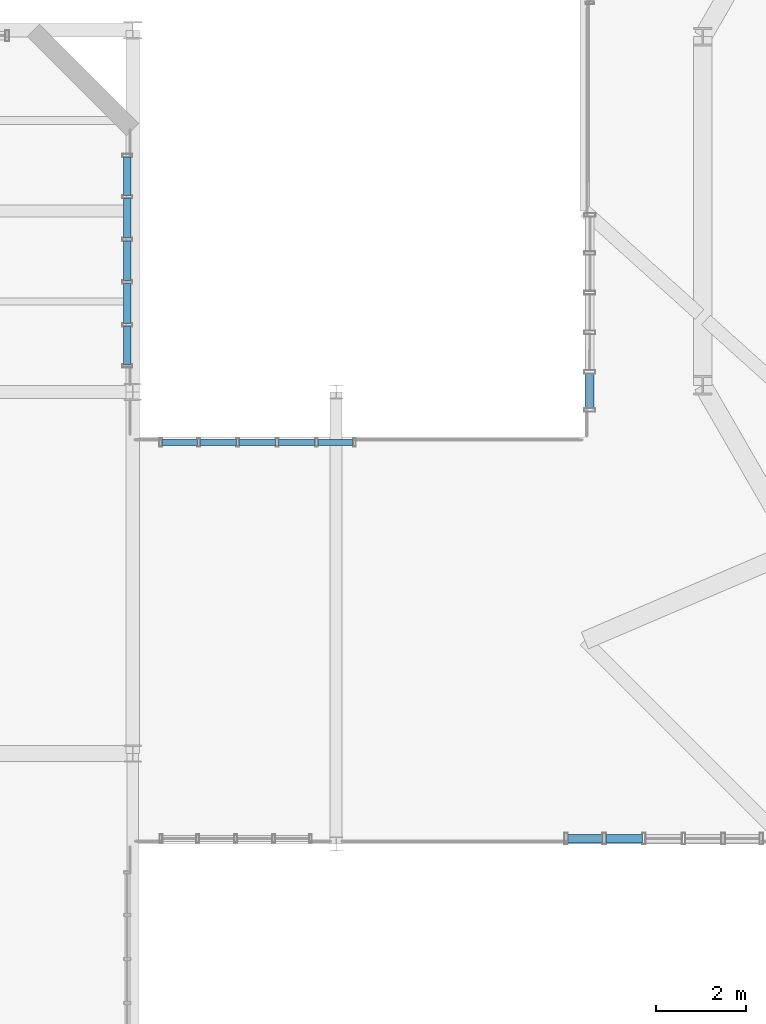
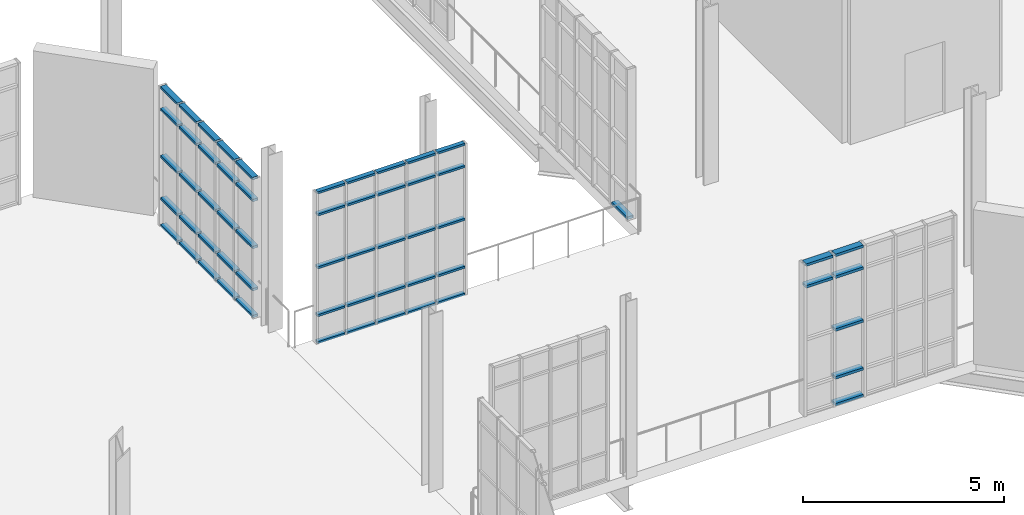
# One storey, part 114 of 189: 58 members, 4 elements without a shape of their own.
"""IFC4 building model written with IfcOpenShell, lengths in metres."""

from ifc_helpers import new_model, si_unit, direction, frame, origin, origin_2d, place, context, subcontext, project, spatial, hollow_rectangle, extrude, material, layer, layer_set, material_profile, profile_set, type_object, element, aggregate, save


model = new_model("IFC4")

# Units and contexts
model_context = context("Model", 3, precision=1e-05, world=origin(), true_north=direction((0.0, 1.0)))
body_context = subcontext(model_context, "Body", "Model", "MODEL_VIEW")
ifc_project = project(units=[si_unit("LENGTHUNIT", "METRE"), si_unit("AREAUNIT", "SQUARE_METRE"), si_unit("VOLUMEUNIT", "CUBIC_METRE"), si_unit("PLANEANGLEUNIT", "RADIAN"), si_unit("MASSUNIT", "GRAM", prefix="KILO"), si_unit("THERMODYNAMICTEMPERATUREUNIT", "KELVIN"), si_unit("POWERUNIT", "WATT")], contexts=[model_context])

# Site, building, storey
site_placement = place(None, origin())
site = spatial("IfcSite", under=ifc_project, at=site_placement, CompositionType="ELEMENT")
building_placement = place(site_placement, origin())
building = spatial("IfcBuilding", under=site, at=building_placement, Name="Zelmaris Science Centre", CompositionType="ELEMENT")
storey_placement = place(building_placement, origin())
storey = spatial("IfcBuildingStorey", under=building, at=storey_placement, Name="L00", CompositionType="ELEMENT", Elevation=0.0)

# Curtain wall, members
ifc_material = material(Name="Anodised architectural aluminium 6063-T6", Category="aluminium")
ifc_layer_1 = layer(ifc_material, 0.2099609375, Name="Anodised architectural aluminium 6063-T6")
ifc_layer_set_1 = layer_set([ifc_layer_1], Name="Anodised architectural aluminium 6063-T6")
curtain_wall_type_1 = type_object("IfcCurtainWallType", Name="Curtain Wall CW-03", PredefinedType="USERDEFINED", material=ifc_layer_set_1)
curtain_wall_1_placement = place(storey_placement, origin())
curtain_wall_1 = element("IfcCurtainWall", 1, at=curtain_wall_1_placement, inside=storey, type_object=curtain_wall_type_1, Name="L00 Unitised curtain wall 47", ObjectType="GLAZED CURTAIN WALL", PredefinedType="USERDEFINED")
ifc_material_profile_1 = material_profile(ifc_material, hollow_rectangle(XDim=0.06494140625, YDim=0.1298828125, WallThickness=0.00341796875, at=origin_2d()), Name="ALU-TRN-65X130")
ifc_profile_set_1 = profile_set([ifc_material_profile_1], Name="Anodised architectural aluminium 6063-T6")
member_type_1 = type_object("IfcMemberType", Name="ALU-TRN-65X130", PredefinedType="USERDEFINED", material=ifc_profile_set_1)
member_1_placement = place(storey_placement, frame((54.645263671875, 30.881103515625, 0.013427734375), z_axis=(1.0, 0.0, 0.0), x_axis=(0.0, 0.0, 1.0)))
member_1 = element("IfcMember", 2, at=member_1_placement, type_object=member_type_1, Name="CW-03 transom 1.1", ObjectType="TRANSOM", PredefinedType="USERDEFINED", context=body_context, shape_type="SweptSolid", body=[
    extrude(hollow_rectangle(XDim=0.06494140625, YDim=0.1298828125, WallThickness=0.00341796875, at=origin_2d()), origin(), (0.0, 0.0, 1.0), 0.78369140625),
])
member_2_placement = place(storey_placement, frame((54.645263671875, 30.881103515625, 0.8349609375), z_axis=(1.0, 0.0, 0.0), x_axis=(0.0, 0.0, 1.0)))
member_2 = element("IfcMember", 3, at=member_2_placement, type_object=member_type_1, Name="CW-03 transom 1.2", ObjectType="TRANSOM", PredefinedType="USERDEFINED", context=body_context, shape_type="SweptSolid", body=[
    extrude(hollow_rectangle(XDim=0.06494140625, YDim=0.1298828125, WallThickness=0.00341796875, at=origin_2d()), origin(), (0.0, 0.0, 1.0), 0.78369140625),
])
member_3_placement = place(storey_placement, frame((54.645263671875, 30.881103515625, 2.29248046875), z_axis=(1.0, 0.0, 0.0), x_axis=(0.0, 0.0, 1.0)))
member_3 = element("IfcMember", 4, at=member_3_placement, type_object=member_type_1, Name="CW-03 transom 1.3", ObjectType="TRANSOM", PredefinedType="USERDEFINED", context=body_context, shape_type="SweptSolid", body=[
    extrude(hollow_rectangle(XDim=0.06494140625, YDim=0.1298828125, WallThickness=0.00341796875, at=origin_2d()), origin(), (0.0, 0.0, 1.0), 0.78369140625),
])
member_4_placement = place(storey_placement, frame((54.645263671875, 30.881103515625, 3.89990234375), z_axis=(1.0, 0.0, 0.0), x_axis=(0.0, 0.0, 1.0)))
member_4 = element("IfcMember", 5, at=member_4_placement, type_object=member_type_1, Name="CW-03 transom 1.4", ObjectType="TRANSOM", PredefinedType="USERDEFINED", context=body_context, shape_type="SweptSolid", body=[
    extrude(hollow_rectangle(XDim=0.06494140625, YDim=0.1298828125, WallThickness=0.00341796875, at=origin_2d()), origin(), (0.0, 0.0, 1.0), 0.78369140625),
])
member_5_placement = place(storey_placement, frame((54.645263671875, 30.881103515625, 4.571533203125), z_axis=(1.0, 0.0, 0.0), x_axis=(0.0, 0.0, 1.0)))
member_5 = element("IfcMember", 6, at=member_5_placement, type_object=member_type_1, Name="CW-03 transom 1.5", ObjectType="TRANSOM", PredefinedType="USERDEFINED", context=body_context, shape_type="SweptSolid", body=[
    extrude(hollow_rectangle(XDim=0.06494140625, YDim=0.1298828125, WallThickness=0.00341796875, at=origin_2d()), origin(), (0.0, 0.0, 1.0), 0.78369140625),
])
member_6_placement = place(storey_placement, frame((55.48583984375, 30.881103515625, 0.013427734375), z_axis=(0.999999954829, -0.000300571071, 0.0), x_axis=(0.0, 0.0, 1.0)))
member_6 = element("IfcMember", 7, at=member_6_placement, type_object=member_type_1, Name="CW-03 transom 2.1", ObjectType="TRANSOM", PredefinedType="USERDEFINED", context=body_context, shape_type="SweptSolid", body=[
    extrude(hollow_rectangle(XDim=0.06494140625, YDim=0.1298828125, WallThickness=0.00341796875, at=origin_2d()), origin(), (0.0, 0.0, 1.0), 0.812255859375),
])
member_7_placement = place(storey_placement, frame((55.48583984375, 30.881103515625, 0.8349609375), z_axis=(0.999999954829, -0.000300571071, 0.0), x_axis=(0.0, 0.0, 1.0)))
member_7 = element("IfcMember", 8, at=member_7_placement, type_object=member_type_1, Name="CW-03 transom 2.2", ObjectType="TRANSOM", PredefinedType="USERDEFINED", context=body_context, shape_type="SweptSolid", body=[
    extrude(hollow_rectangle(XDim=0.06494140625, YDim=0.1298828125, WallThickness=0.00341796875, at=origin_2d()), origin(), (0.0, 0.0, 1.0), 0.812255859375),
])
member_8_placement = place(storey_placement, frame((55.48583984375, 30.881103515625, 2.29248046875), z_axis=(0.999999954829, -0.000300571071, 0.0), x_axis=(0.0, 0.0, 1.0)))
member_8 = element("IfcMember", 9, at=member_8_placement, type_object=member_type_1, Name="CW-03 transom 2.3", ObjectType="TRANSOM", PredefinedType="USERDEFINED", context=body_context, shape_type="SweptSolid", body=[
    extrude(hollow_rectangle(XDim=0.06494140625, YDim=0.1298828125, WallThickness=0.00341796875, at=origin_2d()), origin(), (0.0, 0.0, 1.0), 0.812255859375),
])
member_9_placement = place(storey_placement, frame((55.48583984375, 30.881103515625, 3.89990234375), z_axis=(0.999999954829, -0.000300571071, 0.0), x_axis=(0.0, 0.0, 1.0)))
member_9 = element("IfcMember", 10, at=member_9_placement, type_object=member_type_1, Name="CW-03 transom 2.4", ObjectType="TRANSOM", PredefinedType="USERDEFINED", context=body_context, shape_type="SweptSolid", body=[
    extrude(hollow_rectangle(XDim=0.06494140625, YDim=0.1298828125, WallThickness=0.00341796875, at=origin_2d()), origin(), (0.0, 0.0, 1.0), 0.812255859375),
])
member_10_placement = place(storey_placement, frame((55.48583984375, 30.881103515625, 4.571533203125), z_axis=(0.999999954829, -0.000300571071, 0.0), x_axis=(0.0, 0.0, 1.0)))
member_10 = element("IfcMember", 11, at=member_10_placement, type_object=member_type_1, Name="CW-03 transom 2.5", ObjectType="TRANSOM", PredefinedType="USERDEFINED", context=body_context, shape_type="SweptSolid", body=[
    extrude(hollow_rectangle(XDim=0.06494140625, YDim=0.1298828125, WallThickness=0.00341796875, at=origin_2d()), origin(), (0.0, 0.0, 1.0), 0.812255859375),
])
member_11_placement = place(storey_placement, frame((56.355224609375, 30.880859375, 0.013427734375), z_axis=(1.0, 0.0, 0.0), x_axis=(0.0, 0.0, 1.0)))
member_11 = element("IfcMember", 12, at=member_11_placement, type_object=member_type_1, Name="CW-03 transom 3.1", ObjectType="TRANSOM", PredefinedType="USERDEFINED", context=body_context, shape_type="SweptSolid", body=[
    extrude(hollow_rectangle(XDim=0.06494140625, YDim=0.1298828125, WallThickness=0.00341796875, at=origin_2d()), origin(), (0.0, 0.0, 1.0), 0.81201171875),
])
member_12_placement = place(storey_placement, frame((56.355224609375, 30.880859375, 0.8349609375), z_axis=(1.0, 0.0, 0.0), x_axis=(0.0, 0.0, 1.0)))
member_12 = element("IfcMember", 13, at=member_12_placement, type_object=member_type_1, Name="CW-03 transom 3.2", ObjectType="TRANSOM", PredefinedType="USERDEFINED", context=body_context, shape_type="SweptSolid", body=[
    extrude(hollow_rectangle(XDim=0.06494140625, YDim=0.1298828125, WallThickness=0.00341796875, at=origin_2d()), origin(), (0.0, 0.0, 1.0), 0.81201171875),
])
member_13_placement = place(storey_placement, frame((56.355224609375, 30.880859375, 2.29248046875), z_axis=(1.0, 0.0, 0.0), x_axis=(0.0, 0.0, 1.0)))
member_13 = element("IfcMember", 14, at=member_13_placement, type_object=member_type_1, Name="CW-03 transom 3.3", ObjectType="TRANSOM", PredefinedType="USERDEFINED", context=body_context, shape_type="SweptSolid", body=[
    extrude(hollow_rectangle(XDim=0.06494140625, YDim=0.1298828125, WallThickness=0.00341796875, at=origin_2d()), origin(), (0.0, 0.0, 1.0), 0.81201171875),
])
member_14_placement = place(storey_placement, frame((56.355224609375, 30.880859375, 3.89990234375), z_axis=(1.0, 0.0, 0.0), x_axis=(0.0, 0.0, 1.0)))
member_14 = element("IfcMember", 15, at=member_14_placement, type_object=member_type_1, Name="CW-03 transom 3.4", ObjectType="TRANSOM", PredefinedType="USERDEFINED", context=body_context, shape_type="SweptSolid", body=[
    extrude(hollow_rectangle(XDim=0.06494140625, YDim=0.1298828125, WallThickness=0.00341796875, at=origin_2d()), origin(), (0.0, 0.0, 1.0), 0.81201171875),
])
member_15_placement = place(storey_placement, frame((56.355224609375, 30.880859375, 4.571533203125), z_axis=(1.0, 0.0, 0.0), x_axis=(0.0, 0.0, 1.0)))
member_15 = element("IfcMember", 16, at=member_15_placement, type_object=member_type_1, Name="CW-03 transom 3.5", ObjectType="TRANSOM", PredefinedType="USERDEFINED", context=body_context, shape_type="SweptSolid", body=[
    extrude(hollow_rectangle(XDim=0.06494140625, YDim=0.1298828125, WallThickness=0.00341796875, at=origin_2d()), origin(), (0.0, 0.0, 1.0), 0.81201171875),
])
member_16_placement = place(storey_placement, frame((57.224365234375, 30.880859375, 0.013427734375), z_axis=(0.999999954801, -0.000300661442, 0.0), x_axis=(0.0, 0.0, 1.0)))
member_16 = element("IfcMember", 17, at=member_16_placement, type_object=member_type_1, Name="CW-03 transom 4.1", ObjectType="TRANSOM", PredefinedType="USERDEFINED", context=body_context, shape_type="SweptSolid", body=[
    extrude(hollow_rectangle(XDim=0.06494140625, YDim=0.1298828125, WallThickness=0.00341796875, at=origin_2d()), origin(), (0.0, 0.0, 1.0), 0.81201171875),
])
member_17_placement = place(storey_placement, frame((57.224365234375, 30.880859375, 0.8349609375), z_axis=(0.999999954801, -0.000300661442, 0.0), x_axis=(0.0, 0.0, 1.0)))
member_17 = element("IfcMember", 18, at=member_17_placement, type_object=member_type_1, Name="CW-03 transom 4.2", ObjectType="TRANSOM", PredefinedType="USERDEFINED", context=body_context, shape_type="SweptSolid", body=[
    extrude(hollow_rectangle(XDim=0.06494140625, YDim=0.1298828125, WallThickness=0.00341796875, at=origin_2d()), origin(), (0.0, 0.0, 1.0), 0.81201171875),
])
member_18_placement = place(storey_placement, frame((57.224365234375, 30.880859375, 2.29248046875), z_axis=(0.999999954801, -0.000300661442, 0.0), x_axis=(0.0, 0.0, 1.0)))
member_18 = element("IfcMember", 19, at=member_18_placement, type_object=member_type_1, Name="CW-03 transom 4.3", ObjectType="TRANSOM", PredefinedType="USERDEFINED", context=body_context, shape_type="SweptSolid", body=[
    extrude(hollow_rectangle(XDim=0.06494140625, YDim=0.1298828125, WallThickness=0.00341796875, at=origin_2d()), origin(), (0.0, 0.0, 1.0), 0.81201171875),
])
member_19_placement = place(storey_placement, frame((57.224365234375, 30.880859375, 3.89990234375), z_axis=(0.999999954801, -0.000300661442, 0.0), x_axis=(0.0, 0.0, 1.0)))
member_19 = element("IfcMember", 20, at=member_19_placement, type_object=member_type_1, Name="CW-03 transom 4.4", ObjectType="TRANSOM", PredefinedType="USERDEFINED", context=body_context, shape_type="SweptSolid", body=[
    extrude(hollow_rectangle(XDim=0.06494140625, YDim=0.1298828125, WallThickness=0.00341796875, at=origin_2d()), origin(), (0.0, 0.0, 1.0), 0.81201171875),
])
member_20_placement = place(storey_placement, frame((57.224365234375, 30.880859375, 4.571533203125), z_axis=(0.999999954801, -0.000300661442, 0.0), x_axis=(0.0, 0.0, 1.0)))
member_20 = element("IfcMember", 21, at=member_20_placement, type_object=member_type_1, Name="CW-03 transom 4.5", ObjectType="TRANSOM", PredefinedType="USERDEFINED", context=body_context, shape_type="SweptSolid", body=[
    extrude(hollow_rectangle(XDim=0.06494140625, YDim=0.1298828125, WallThickness=0.00341796875, at=origin_2d()), origin(), (0.0, 0.0, 1.0), 0.81201171875),
])
member_21_placement = place(storey_placement, frame((58.093505859375, 30.880615234375, 0.013427734375), z_axis=(1.0, 0.0, 0.0), x_axis=(0.0, 0.0, 1.0)))
member_21 = element("IfcMember", 22, at=member_21_placement, type_object=member_type_1, Name="CW-03 transom 5.1", ObjectType="TRANSOM", PredefinedType="USERDEFINED", context=body_context, shape_type="SweptSolid", body=[
    extrude(hollow_rectangle(XDim=0.06494140625, YDim=0.1298828125, WallThickness=0.00341796875, at=origin_2d()), origin(), (0.0, 0.0, 1.0), 0.78369140625),
])
member_22_placement = place(storey_placement, frame((58.093505859375, 30.880615234375, 0.8349609375), z_axis=(1.0, 0.0, 0.0), x_axis=(0.0, 0.0, 1.0)))
member_22 = element("IfcMember", 23, at=member_22_placement, type_object=member_type_1, Name="CW-03 transom 5.2", ObjectType="TRANSOM", PredefinedType="USERDEFINED", context=body_context, shape_type="SweptSolid", body=[
    extrude(hollow_rectangle(XDim=0.06494140625, YDim=0.1298828125, WallThickness=0.00341796875, at=origin_2d()), origin(), (0.0, 0.0, 1.0), 0.78369140625),
])
member_23_placement = place(storey_placement, frame((58.093505859375, 30.880615234375, 2.29248046875), z_axis=(1.0, 0.0, 0.0), x_axis=(0.0, 0.0, 1.0)))
member_23 = element("IfcMember", 24, at=member_23_placement, type_object=member_type_1, Name="CW-03 transom 5.3", ObjectType="TRANSOM", PredefinedType="USERDEFINED", context=body_context, shape_type="SweptSolid", body=[
    extrude(hollow_rectangle(XDim=0.06494140625, YDim=0.1298828125, WallThickness=0.00341796875, at=origin_2d()), origin(), (0.0, 0.0, 1.0), 0.78369140625),
])
member_24_placement = place(storey_placement, frame((58.093505859375, 30.880615234375, 3.89990234375), z_axis=(1.0, 0.0, 0.0), x_axis=(0.0, 0.0, 1.0)))
member_24 = element("IfcMember", 25, at=member_24_placement, type_object=member_type_1, Name="CW-03 transom 5.4", ObjectType="TRANSOM", PredefinedType="USERDEFINED", context=body_context, shape_type="SweptSolid", body=[
    extrude(hollow_rectangle(XDim=0.06494140625, YDim=0.1298828125, WallThickness=0.00341796875, at=origin_2d()), origin(), (0.0, 0.0, 1.0), 0.78369140625),
])
member_25_placement = place(storey_placement, frame((58.093505859375, 30.880615234375, 4.571533203125), z_axis=(1.0, 0.0, 0.0), x_axis=(0.0, 0.0, 1.0)))
member_25 = element("IfcMember", 26, at=member_25_placement, type_object=member_type_1, Name="CW-03 transom 5.5", ObjectType="TRANSOM", PredefinedType="USERDEFINED", context=body_context, shape_type="SweptSolid", body=[
    extrude(hollow_rectangle(XDim=0.06494140625, YDim=0.1298828125, WallThickness=0.00341796875, at=origin_2d()), origin(), (0.0, 0.0, 1.0), 0.78369140625),
])
aggregate(curtain_wall_1, [member_1, member_2, member_3, member_4, member_5, member_6, member_7, member_8, member_9, member_10, member_11, member_12, member_13, member_14, member_15, member_16, member_17, member_18, member_19, member_20, member_21, member_22, member_23, member_24, member_25])

ifc_layer_2 = layer(ifc_material, 0.199951171875, Name="Anodised architectural aluminium 6063-T6")
ifc_layer_set_2 = layer_set([ifc_layer_2], Name="Anodised architectural aluminium 6063-T6")
curtain_wall_type_2 = type_object("IfcCurtainWallType", Name="Curtain Wall CW-02", PredefinedType="USERDEFINED", material=ifc_layer_set_2)
curtain_wall_2_placement = place(storey_placement, origin())
curtain_wall_2 = element("IfcCurtainWall", 27, at=curtain_wall_2_placement, inside=storey, type_object=curtain_wall_type_2, Name="L00 Unitised curtain wall 46", ObjectType="GLAZED CURTAIN WALL", PredefinedType="USERDEFINED")
ifc_material_profile_2 = material_profile(ifc_material, hollow_rectangle(XDim=0.074951171875, YDim=0.159912109375, WallThickness=0.00390625, at=origin_2d()), Name="ALU-TRN-75X160")
ifc_profile_set_2 = profile_set([ifc_material_profile_2], Name="Anodised architectural aluminium 6063-T6")
member_type_2 = type_object("IfcMemberType", Name="ALU-TRN-75X160", PredefinedType="USERDEFINED", material=ifc_profile_set_2)
member_26_placement = place(storey_placement, frame((53.8798828125, 37.193115234375, 0.0185546875), z_axis=(0.0, -1.0, 0.0), x_axis=(0.0, 0.0, 1.0)))
member_26 = element("IfcMember", 28, at=member_26_placement, type_object=member_type_2, Name="CW-02 transom 1.1", ObjectType="TRANSOM", PredefinedType="USERDEFINED", context=body_context, shape_type="SweptSolid", body=[
    extrude(hollow_rectangle(XDim=0.074951171875, YDim=0.159912109375, WallThickness=0.00390625, at=origin_2d()), origin(), (0.0, 0.0, 1.0), 0.843505859375),
])
member_27_placement = place(storey_placement, frame((53.8798828125, 37.193115234375, 0.8349609375), z_axis=(0.0, -1.0, 0.0), x_axis=(0.0, 0.0, 1.0)))
member_27 = element("IfcMember", 29, at=member_27_placement, type_object=member_type_2, Name="CW-02 transom 1.2", ObjectType="TRANSOM", PredefinedType="USERDEFINED", context=body_context, shape_type="SweptSolid", body=[
    extrude(hollow_rectangle(XDim=0.074951171875, YDim=0.159912109375, WallThickness=0.00390625, at=origin_2d()), origin(), (0.0, 0.0, 1.0), 0.843505859375),
])
member_28_placement = place(storey_placement, frame((53.8798828125, 37.193115234375, 2.116943359375), z_axis=(0.0, -1.0, 0.0), x_axis=(0.0, 0.0, 1.0)))
member_28 = element("IfcMember", 30, at=member_28_placement, type_object=member_type_2, Name="CW-02 transom 1.3", ObjectType="TRANSOM", PredefinedType="USERDEFINED", context=body_context, shape_type="SweptSolid", body=[
    extrude(hollow_rectangle(XDim=0.074951171875, YDim=0.159912109375, WallThickness=0.00390625, at=origin_2d()), origin(), (0.0, 0.0, 1.0), 0.843505859375),
])
member_29_placement = place(storey_placement, frame((53.8798828125, 37.193115234375, 3.549072265625), z_axis=(0.0, -1.0, 0.0), x_axis=(0.0, 0.0, 1.0)))
member_29 = element("IfcMember", 31, at=member_29_placement, type_object=member_type_2, Name="CW-02 transom 1.4", ObjectType="TRANSOM", PredefinedType="USERDEFINED", context=body_context, shape_type="SweptSolid", body=[
    extrude(hollow_rectangle(XDim=0.074951171875, YDim=0.159912109375, WallThickness=0.00390625, at=origin_2d()), origin(), (0.0, 0.0, 1.0), 0.843505859375),
])
member_30_placement = place(storey_placement, frame((53.8798828125, 37.193115234375, 4.215576171875), z_axis=(0.0, -1.0, 0.0), x_axis=(0.0, 0.0, 1.0)))
member_30 = element("IfcMember", 32, at=member_30_placement, type_object=member_type_2, Name="CW-02 transom 1.5", ObjectType="TRANSOM", PredefinedType="USERDEFINED", context=body_context, shape_type="SweptSolid", body=[
    extrude(hollow_rectangle(XDim=0.074951171875, YDim=0.159912109375, WallThickness=0.00390625, at=origin_2d()), origin(), (0.0, 0.0, 1.0), 0.843505859375),
])
member_31_placement = place(storey_placement, frame((53.8798828125, 36.282470703125, 0.0185546875), z_axis=(0.0, -1.0, 0.0), x_axis=(0.0, 0.0, 1.0)))
member_31 = element("IfcMember", 33, at=member_31_placement, type_object=member_type_2, Name="CW-02 transom 2.1", ObjectType="TRANSOM", PredefinedType="USERDEFINED", context=body_context, shape_type="SweptSolid", body=[
    extrude(hollow_rectangle(XDim=0.074951171875, YDim=0.159912109375, WallThickness=0.00390625, at=origin_2d()), origin(), (0.0, 0.0, 1.0), 0.876953125),
])
member_32_placement = place(storey_placement, frame((53.8798828125, 36.282470703125, 0.8349609375), z_axis=(0.0, -1.0, 0.0), x_axis=(0.0, 0.0, 1.0)))
member_32 = element("IfcMember", 34, at=member_32_placement, type_object=member_type_2, Name="CW-02 transom 2.2", ObjectType="TRANSOM", PredefinedType="USERDEFINED", context=body_context, shape_type="SweptSolid", body=[
    extrude(hollow_rectangle(XDim=0.074951171875, YDim=0.159912109375, WallThickness=0.00390625, at=origin_2d()), origin(), (0.0, 0.0, 1.0), 0.876953125),
])
member_33_placement = place(storey_placement, frame((53.8798828125, 36.282470703125, 2.116943359375), z_axis=(0.0, -1.0, 0.0), x_axis=(0.0, 0.0, 1.0)))
member_33 = element("IfcMember", 35, at=member_33_placement, type_object=member_type_2, Name="CW-02 transom 2.3", ObjectType="TRANSOM", PredefinedType="USERDEFINED", context=body_context, shape_type="SweptSolid", body=[
    extrude(hollow_rectangle(XDim=0.074951171875, YDim=0.159912109375, WallThickness=0.00390625, at=origin_2d()), origin(), (0.0, 0.0, 1.0), 0.876953125),
])
member_34_placement = place(storey_placement, frame((53.8798828125, 36.282470703125, 3.549072265625), z_axis=(0.0, -1.0, 0.0), x_axis=(0.0, 0.0, 1.0)))
member_34 = element("IfcMember", 36, at=member_34_placement, type_object=member_type_2, Name="CW-02 transom 2.4", ObjectType="TRANSOM", PredefinedType="USERDEFINED", context=body_context, shape_type="SweptSolid", body=[
    extrude(hollow_rectangle(XDim=0.074951171875, YDim=0.159912109375, WallThickness=0.00390625, at=origin_2d()), origin(), (0.0, 0.0, 1.0), 0.876953125),
])
member_35_placement = place(storey_placement, frame((53.8798828125, 36.282470703125, 4.215576171875), z_axis=(0.0, -1.0, 0.0), x_axis=(0.0, 0.0, 1.0)))
member_35 = element("IfcMember", 37, at=member_35_placement, type_object=member_type_2, Name="CW-02 transom 2.5", ObjectType="TRANSOM", PredefinedType="USERDEFINED", context=body_context, shape_type="SweptSolid", body=[
    extrude(hollow_rectangle(XDim=0.074951171875, YDim=0.159912109375, WallThickness=0.00390625, at=origin_2d()), origin(), (0.0, 0.0, 1.0), 0.876953125),
])
member_36_placement = place(storey_placement, frame((53.8798828125, 35.33837890625, 0.0185546875), z_axis=(0.0, -1.0, 0.0), x_axis=(0.0, 0.0, 1.0)))
member_36 = element("IfcMember", 38, at=member_36_placement, type_object=member_type_2, Name="CW-02 transom 3.1", ObjectType="TRANSOM", PredefinedType="USERDEFINED", context=body_context, shape_type="SweptSolid", body=[
    extrude(hollow_rectangle(XDim=0.074951171875, YDim=0.159912109375, WallThickness=0.00390625, at=origin_2d()), origin(), (0.0, 0.0, 1.0), 0.876953125),
])
member_37_placement = place(storey_placement, frame((53.8798828125, 35.33837890625, 0.8349609375), z_axis=(0.0, -1.0, 0.0), x_axis=(0.0, 0.0, 1.0)))
member_37 = element("IfcMember", 39, at=member_37_placement, type_object=member_type_2, Name="CW-02 transom 3.2", ObjectType="TRANSOM", PredefinedType="USERDEFINED", context=body_context, shape_type="SweptSolid", body=[
    extrude(hollow_rectangle(XDim=0.074951171875, YDim=0.159912109375, WallThickness=0.00390625, at=origin_2d()), origin(), (0.0, 0.0, 1.0), 0.876953125),
])
member_38_placement = place(storey_placement, frame((53.8798828125, 35.33837890625, 2.116943359375), z_axis=(0.0, -1.0, 0.0), x_axis=(0.0, 0.0, 1.0)))
member_38 = element("IfcMember", 40, at=member_38_placement, type_object=member_type_2, Name="CW-02 transom 3.3", ObjectType="TRANSOM", PredefinedType="USERDEFINED", context=body_context, shape_type="SweptSolid", body=[
    extrude(hollow_rectangle(XDim=0.074951171875, YDim=0.159912109375, WallThickness=0.00390625, at=origin_2d()), origin(), (0.0, 0.0, 1.0), 0.876953125),
])
member_39_placement = place(storey_placement, frame((53.8798828125, 35.33837890625, 3.549072265625), z_axis=(0.0, -1.0, 0.0), x_axis=(0.0, 0.0, 1.0)))
member_39 = element("IfcMember", 41, at=member_39_placement, type_object=member_type_2, Name="CW-02 transom 3.4", ObjectType="TRANSOM", PredefinedType="USERDEFINED", context=body_context, shape_type="SweptSolid", body=[
    extrude(hollow_rectangle(XDim=0.074951171875, YDim=0.159912109375, WallThickness=0.00390625, at=origin_2d()), origin(), (0.0, 0.0, 1.0), 0.876953125),
])
member_40_placement = place(storey_placement, frame((53.8798828125, 35.33837890625, 4.215576171875), z_axis=(0.0, -1.0, 0.0), x_axis=(0.0, 0.0, 1.0)))
member_40 = element("IfcMember", 42, at=member_40_placement, type_object=member_type_2, Name="CW-02 transom 3.5", ObjectType="TRANSOM", PredefinedType="USERDEFINED", context=body_context, shape_type="SweptSolid", body=[
    extrude(hollow_rectangle(XDim=0.074951171875, YDim=0.159912109375, WallThickness=0.00390625, at=origin_2d()), origin(), (0.0, 0.0, 1.0), 0.876953125),
])
member_41_placement = place(storey_placement, frame((53.8798828125, 34.39453125, 0.0185546875), z_axis=(0.0, -1.0, 0.0), x_axis=(0.0, 0.0, 1.0)))
member_41 = element("IfcMember", 43, at=member_41_placement, type_object=member_type_2, Name="CW-02 transom 4.1", ObjectType="TRANSOM", PredefinedType="USERDEFINED", context=body_context, shape_type="SweptSolid", body=[
    extrude(hollow_rectangle(XDim=0.074951171875, YDim=0.159912109375, WallThickness=0.00390625, at=origin_2d()), origin(), (0.0, 0.0, 1.0), 0.876953125),
])
member_42_placement = place(storey_placement, frame((53.8798828125, 34.39453125, 0.8349609375), z_axis=(0.0, -1.0, 0.0), x_axis=(0.0, 0.0, 1.0)))
member_42 = element("IfcMember", 44, at=member_42_placement, type_object=member_type_2, Name="CW-02 transom 4.2", ObjectType="TRANSOM", PredefinedType="USERDEFINED", context=body_context, shape_type="SweptSolid", body=[
    extrude(hollow_rectangle(XDim=0.074951171875, YDim=0.159912109375, WallThickness=0.00390625, at=origin_2d()), origin(), (0.0, 0.0, 1.0), 0.876953125),
])
member_43_placement = place(storey_placement, frame((53.8798828125, 34.39453125, 2.116943359375), z_axis=(0.0, -1.0, 0.0), x_axis=(0.0, 0.0, 1.0)))
member_43 = element("IfcMember", 45, at=member_43_placement, type_object=member_type_2, Name="CW-02 transom 4.3", ObjectType="TRANSOM", PredefinedType="USERDEFINED", context=body_context, shape_type="SweptSolid", body=[
    extrude(hollow_rectangle(XDim=0.074951171875, YDim=0.159912109375, WallThickness=0.00390625, at=origin_2d()), origin(), (0.0, 0.0, 1.0), 0.876953125),
])
member_44_placement = place(storey_placement, frame((53.8798828125, 34.39453125, 3.549072265625), z_axis=(0.0, -1.0, 0.0), x_axis=(0.0, 0.0, 1.0)))
member_44 = element("IfcMember", 46, at=member_44_placement, type_object=member_type_2, Name="CW-02 transom 4.4", ObjectType="TRANSOM", PredefinedType="USERDEFINED", context=body_context, shape_type="SweptSolid", body=[
    extrude(hollow_rectangle(XDim=0.074951171875, YDim=0.159912109375, WallThickness=0.00390625, at=origin_2d()), origin(), (0.0, 0.0, 1.0), 0.876953125),
])
member_45_placement = place(storey_placement, frame((53.8798828125, 34.39453125, 4.215576171875), z_axis=(0.0, -1.0, 0.0), x_axis=(0.0, 0.0, 1.0)))
member_45 = element("IfcMember", 47, at=member_45_placement, type_object=member_type_2, Name="CW-02 transom 4.5", ObjectType="TRANSOM", PredefinedType="USERDEFINED", context=body_context, shape_type="SweptSolid", body=[
    extrude(hollow_rectangle(XDim=0.074951171875, YDim=0.159912109375, WallThickness=0.00390625, at=origin_2d()), origin(), (0.0, 0.0, 1.0), 0.876953125),
])
member_46_placement = place(storey_placement, frame((53.8798828125, 33.450439453125, 0.0185546875), z_axis=(0.0, -1.0, 0.0), x_axis=(0.0, 0.0, 1.0)))
member_46 = element("IfcMember", 48, at=member_46_placement, type_object=member_type_2, Name="CW-02 transom 5.1", ObjectType="TRANSOM", PredefinedType="USERDEFINED", context=body_context, shape_type="SweptSolid", body=[
    extrude(hollow_rectangle(XDim=0.074951171875, YDim=0.159912109375, WallThickness=0.00390625, at=origin_2d()), origin(), (0.0, 0.0, 1.0), 0.843505859375),
])
member_47_placement = place(storey_placement, frame((53.8798828125, 33.450439453125, 0.8349609375), z_axis=(0.0, -1.0, 0.0), x_axis=(0.0, 0.0, 1.0)))
member_47 = element("IfcMember", 49, at=member_47_placement, type_object=member_type_2, Name="CW-02 transom 5.2", ObjectType="TRANSOM", PredefinedType="USERDEFINED", context=body_context, shape_type="SweptSolid", body=[
    extrude(hollow_rectangle(XDim=0.074951171875, YDim=0.159912109375, WallThickness=0.00390625, at=origin_2d()), origin(), (0.0, 0.0, 1.0), 0.843505859375),
])
member_48_placement = place(storey_placement, frame((53.8798828125, 33.450439453125, 2.116943359375), z_axis=(0.0, -1.0, 0.0), x_axis=(0.0, 0.0, 1.0)))
member_48 = element("IfcMember", 50, at=member_48_placement, type_object=member_type_2, Name="CW-02 transom 5.3", ObjectType="TRANSOM", PredefinedType="USERDEFINED", context=body_context, shape_type="SweptSolid", body=[
    extrude(hollow_rectangle(XDim=0.074951171875, YDim=0.159912109375, WallThickness=0.00390625, at=origin_2d()), origin(), (0.0, 0.0, 1.0), 0.843505859375),
])
member_49_placement = place(storey_placement, frame((53.8798828125, 33.450439453125, 3.549072265625), z_axis=(0.0, -1.0, 0.0), x_axis=(0.0, 0.0, 1.0)))
member_49 = element("IfcMember", 51, at=member_49_placement, type_object=member_type_2, Name="CW-02 transom 5.4", ObjectType="TRANSOM", PredefinedType="USERDEFINED", context=body_context, shape_type="SweptSolid", body=[
    extrude(hollow_rectangle(XDim=0.074951171875, YDim=0.159912109375, WallThickness=0.00390625, at=origin_2d()), origin(), (0.0, 0.0, 1.0), 0.843505859375),
])
member_50_placement = place(storey_placement, frame((53.8798828125, 33.450439453125, 4.215576171875), z_axis=(0.0, -1.0, 0.0), x_axis=(0.0, 0.0, 1.0)))
member_50 = element("IfcMember", 52, at=member_50_placement, type_object=member_type_2, Name="CW-02 transom 5.5", ObjectType="TRANSOM", PredefinedType="USERDEFINED", context=body_context, shape_type="SweptSolid", body=[
    extrude(hollow_rectangle(XDim=0.074951171875, YDim=0.159912109375, WallThickness=0.00390625, at=origin_2d()), origin(), (0.0, 0.0, 1.0), 0.843505859375),
])
aggregate(curtain_wall_2, [member_26, member_27, member_28, member_29, member_30, member_31, member_32, member_33, member_34, member_35, member_36, member_37, member_38, member_39, member_40, member_41, member_42, member_43, member_44, member_45, member_46, member_47, member_48, member_49, member_50])

# Curtain wall, member
ifc_layer_3 = layer(ifc_material, 0.18994140625, Name="Anodised architectural aluminium 6063-T6")
ifc_layer_set_3 = layer_set([ifc_layer_3], Name="Anodised architectural aluminium 6063-T6")
curtain_wall_type_3 = type_object("IfcCurtainWallType", Name="Curtain Wall CW-01", PredefinedType="USERDEFINED", material=ifc_layer_set_3)
curtain_wall_3_placement = place(storey_placement, origin())
curtain_wall_3 = element("IfcCurtainWall", 53, at=curtain_wall_3_placement, inside=storey, type_object=curtain_wall_type_3, Name="L00 Unitised curtain wall 49", ObjectType="GLAZED CURTAIN WALL", PredefinedType="USERDEFINED")
ifc_material_profile_3 = material_profile(ifc_material, hollow_rectangle(XDim=0.080078125, YDim=0.18994140625, WallThickness=0.00439453125, at=origin_2d()), Name="ALU-TRN-80X190")
ifc_profile_set_3 = profile_set([ifc_material_profile_3], Name="Anodised architectural aluminium 6063-T6")
member_type_3 = type_object("IfcMemberType", Name="ALU-TRN-80X190", PredefinedType="USERDEFINED", material=ifc_profile_set_3)
member_51_placement = place(storey_placement, frame((64.10693359375, 31.6337890625, 0.02099609375), z_axis=(0.000952078274, 0.999999546773, 0.0), x_axis=(0.0, 0.0, 1.0)))
member_51 = element("IfcMember", 54, at=member_51_placement, type_object=member_type_3, Name="CW-01 transom 1.1", ObjectType="TRANSOM", PredefinedType="USERDEFINED", context=body_context, shape_type="SweptSolid", body=[
    extrude(hollow_rectangle(XDim=0.080078125, YDim=0.18994140625, WallThickness=0.00439453125, at=origin_2d()), origin(), (0.0, 0.0, 1.0), 0.769287109375),
])
aggregate(curtain_wall_3, [member_51])

# Curtain wall, members
curtain_wall_4_placement = place(storey_placement, origin())
curtain_wall_4 = element("IfcCurtainWall", 55, at=curtain_wall_4_placement, inside=storey, type_object=curtain_wall_type_3, Name="L00 Unitised curtain wall 121", ObjectType="GLAZED CURTAIN WALL", PredefinedType="USERDEFINED")
member_52_placement = place(storey_placement, frame((65.270751953125, 22.119873046875, 0.02099609375), z_axis=(-1.0, 0.0, 0.0), x_axis=(0.0, 0.0, 1.0)))
member_52 = element("IfcMember", 56, at=member_52_placement, type_object=member_type_3, Name="CW-01 transom 4.1", ObjectType="TRANSOM", PredefinedType="USERDEFINED", context=body_context, shape_type="SweptSolid", body=[
    extrude(hollow_rectangle(XDim=0.080078125, YDim=0.18994140625, WallThickness=0.00439453125, at=origin_2d()), origin(), (0.0, 0.0, 1.0), 0.80615234375),
])
member_53_placement = place(storey_placement, frame((65.270751953125, 22.119873046875, 0.8349609375), z_axis=(-1.0, 0.0, 0.0), x_axis=(0.0, 0.0, 1.0)))
member_53 = element("IfcMember", 57, at=member_53_placement, type_object=member_type_3, Name="CW-01 transom 4.2", ObjectType="TRANSOM", PredefinedType="USERDEFINED", context=body_context, shape_type="SweptSolid", body=[
    extrude(hollow_rectangle(XDim=0.080078125, YDim=0.18994140625, WallThickness=0.00439453125, at=origin_2d()), origin(), (0.0, 0.0, 1.0), 0.80615234375),
])
member_54_placement = place(storey_placement, frame((65.270751953125, 22.119873046875, 2.29248046875), z_axis=(-1.0, 0.0, 0.0), x_axis=(0.0, 0.0, 1.0)))
member_54 = element("IfcMember", 58, at=member_54_placement, type_object=member_type_3, Name="CW-01 transom 4.3", ObjectType="TRANSOM", PredefinedType="USERDEFINED", context=body_context, shape_type="SweptSolid", body=[
    extrude(hollow_rectangle(XDim=0.080078125, YDim=0.18994140625, WallThickness=0.00439453125, at=origin_2d()), origin(), (0.0, 0.0, 1.0), 0.80615234375),
])
member_55_placement = place(storey_placement, frame((65.270751953125, 22.119873046875, 3.89990234375), z_axis=(-1.0, 0.0, 0.0), x_axis=(0.0, 0.0, 1.0)))
member_55 = element("IfcMember", 59, at=member_55_placement, type_object=member_type_3, Name="CW-01 transom 4.4", ObjectType="TRANSOM", PredefinedType="USERDEFINED", context=body_context, shape_type="SweptSolid", body=[
    extrude(hollow_rectangle(XDim=0.080078125, YDim=0.18994140625, WallThickness=0.00439453125, at=origin_2d()), origin(), (0.0, 0.0, 1.0), 0.80615234375),
])
member_56_placement = place(storey_placement, frame((65.270751953125, 22.119873046875, 4.56396484375), z_axis=(-1.0, 0.0, 0.0), x_axis=(0.0, 0.0, 1.0)))
member_56 = element("IfcMember", 60, at=member_56_placement, type_object=member_type_3, Name="CW-01 transom 4.5", ObjectType="TRANSOM", PredefinedType="USERDEFINED", context=body_context, shape_type="SweptSolid", body=[
    extrude(hollow_rectangle(XDim=0.080078125, YDim=0.18994140625, WallThickness=0.00439453125, at=origin_2d()), origin(), (0.0, 0.0, 1.0), 0.80615234375),
])
member_57_placement = place(storey_placement, frame((64.392578125, 22.119873046875, 3.89990234375), z_axis=(-1.0, 0.0, 0.0), x_axis=(0.0, 0.0, 1.0)))
member_57 = element("IfcMember", 61, at=member_57_placement, type_object=member_type_3, Name="CW-01 transom 5.4", ObjectType="TRANSOM", PredefinedType="USERDEFINED", context=body_context, shape_type="SweptSolid", body=[
    extrude(hollow_rectangle(XDim=0.080078125, YDim=0.18994140625, WallThickness=0.00439453125, at=origin_2d()), origin(), (0.0, 0.0, 1.0), 0.77001953125),
])
member_58_placement = place(storey_placement, frame((64.392578125, 22.119873046875, 4.56396484375), z_axis=(-1.0, 0.0, 0.0), x_axis=(0.0, 0.0, 1.0)))
member_58 = element("IfcMember", 62, at=member_58_placement, type_object=member_type_3, Name="CW-01 transom 5.5", ObjectType="TRANSOM", PredefinedType="USERDEFINED", context=body_context, shape_type="SweptSolid", body=[
    extrude(hollow_rectangle(XDim=0.080078125, YDim=0.18994140625, WallThickness=0.00439453125, at=origin_2d()), origin(), (0.0, 0.0, 1.0), 0.77001953125),
])
aggregate(curtain_wall_4, [member_52, member_53, member_54, member_55, member_56, member_57, member_58])

save(model, "model.ifc")
